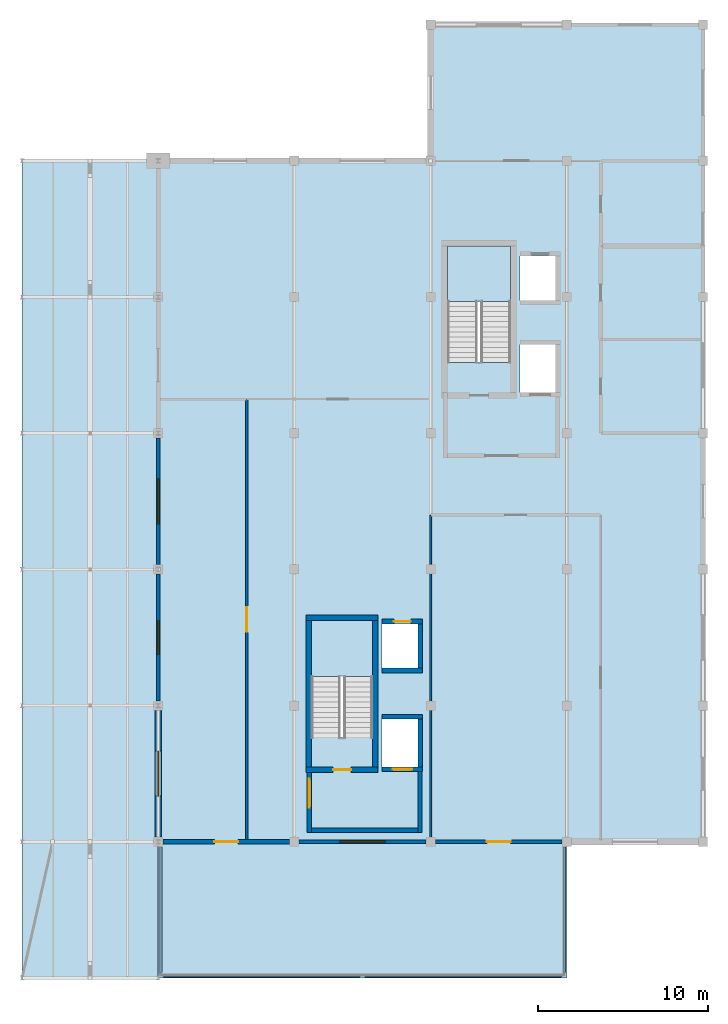
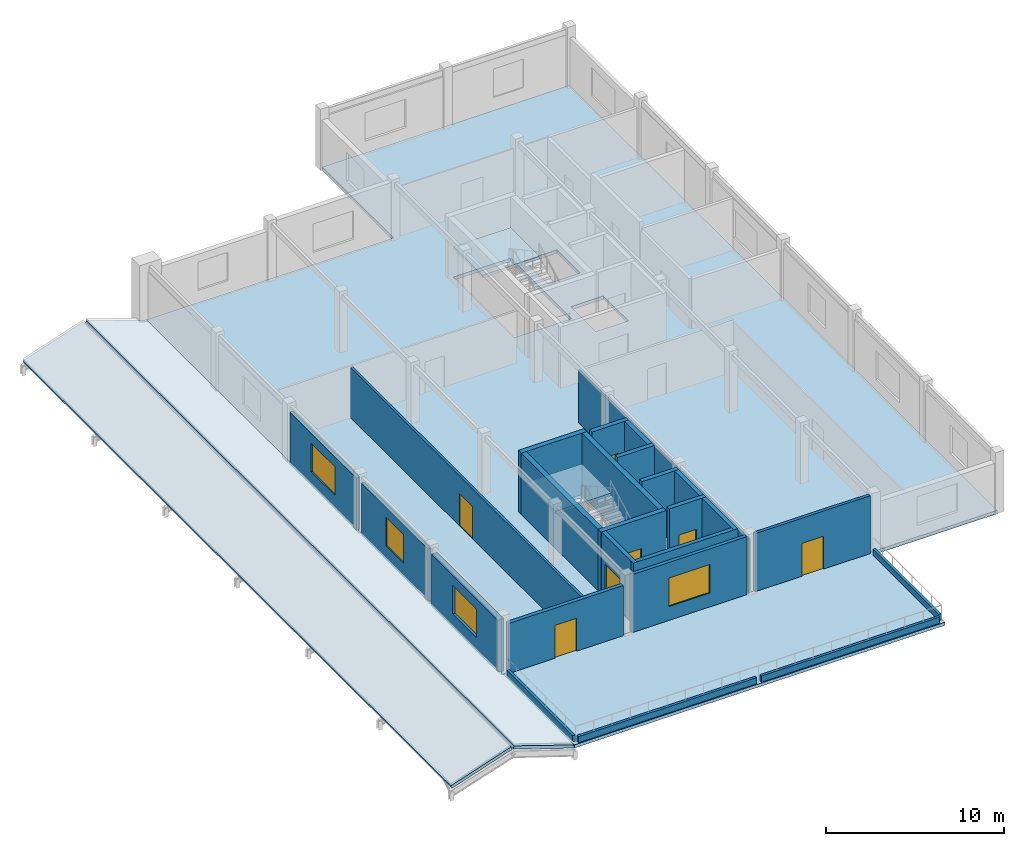
# One storey, part 4 of 9: 25 walls, 7 doors, 6 slabs, 4 windows, 11 openings, 2 elements without a shape of their own.
"""IFC4 building model written with IfcOpenShell, lengths in metres."""

import ifcopenshell
import ifcopenshell.guid

model = None  # the IFC model being written
_history = None  # IfcOwnerHistory: only IFC2X3 demands one
_inside = {}  # id of a spatial element -> (the spatial element, [elements in it])
_under = {}  # id of a project, library or spatial element -> (it, [spatial elements below it])
_declared = {}  # id of a project -> (the project, [libraries it declares])
_typed = {}  # id of a type object -> (the type object, [elements of that type])
_made_of = {}  # id of a material, layer set ... -> (it, [elements and type objects made of it])


def new_model(schema):
    """Start an empty IFC model of exactly this schema.

    Asked for "IFC4X3", IfcOpenShell would pick the latest addendum, in which some entities
    have other attributes; the version numbers below select the first issue.
    IFC2X3 requires an IfcOwnerHistory on every rooted entity: one is made here for all.
    """
    global model, _history
    if schema == "IFC4X3":
        model = ifcopenshell.file(schema_version=(4, 3, 0, 0))
    else:
        model = ifcopenshell.file(schema=schema)
    _inside.clear()
    _under.clear()
    _declared.clear()
    _typed.clear()
    _made_of.clear()
    _history = None
    if model.schema == "IFC2X3":
        org = make("IfcOrganization", Name="unknown")
        user = make(
            "IfcPersonAndOrganization",
            ThePerson=make("IfcPerson", FamilyName="unknown"),
            TheOrganization=org,
        )
        app = make(
            "IfcApplication",
            ApplicationDeveloper=org,
            Version="unknown",
            ApplicationFullName="unknown",
            ApplicationIdentifier="unknown",
        )
        _history = make(
            "IfcOwnerHistory",
            OwningUser=user,
            OwningApplication=app,
            ChangeAction="ADDED",
            CreationDate=0,
        )
    return model


def make(cls, **values):
    """One entity of the class cls with the attributes given. An attribute that is None is left unset."""
    return model.create_entity(
        cls, **{name: value for name, value in values.items() if value is not None}
    )


def rooted(cls, **values):
    """An entity with a GlobalId (a new one), such as an element, a storey or a relation."""
    return make(cls, GlobalId=ifcopenshell.guid.new(), OwnerHistory=_history, **values)


def si_unit(unit_type, name, prefix=None):
    """IfcSIUnit, for example si_unit("LENGTHUNIT", "METRE", prefix="MILLI")."""
    return make("IfcSIUnit", UnitType=unit_type, Prefix=prefix, Name=name)


def assignment(units):
    """IfcUnitAssignment: the units of a project."""
    return None if units is None else make("IfcUnitAssignment", Units=units)


def point(xyz):
    """IfcCartesianPoint."""
    return None if xyz is None else make("IfcCartesianPoint", Coordinates=xyz)


def direction(xyz):
    """IfcDirection."""
    return None if xyz is None else make("IfcDirection", DirectionRatios=xyz)


def frame(location, z_axis=None, x_axis=None):
    """IfcAxis2Placement3D, a coordinate frame: its origin and axes. An axis left out is left unset."""
    return make(
        "IfcAxis2Placement3D",
        Location=point(location),
        Axis=direction(z_axis),
        RefDirection=direction(x_axis),
    )


def frame_2d(location, x_axis=None):
    """IfcAxis2Placement2D, a coordinate frame in the plane: its origin and x axis."""
    return make(
        "IfcAxis2Placement2D", Location=point(location), RefDirection=direction(x_axis)
    )


def origin():
    """The frame at (0, 0, 0) with its axes left unset."""
    return frame((0.0, 0.0, 0.0))


def place(relative_to, where):
    """IfcLocalPlacement: puts the frame where relative to a parent placement (None: the world)."""
    return make(
        "IfcLocalPlacement", PlacementRelTo=relative_to, RelativePlacement=where
    )


def context(
    kind, dimensions, precision=None, world=None, true_north=None, identifier=None
):
    """IfcGeometricRepresentationContext, for example the 3D "Model" context."""
    return make(
        "IfcGeometricRepresentationContext",
        ContextIdentifier=identifier,
        ContextType=kind,
        CoordinateSpaceDimension=dimensions,
        Precision=precision,
        WorldCoordinateSystem=world,
        TrueNorth=true_north,
    )


def subcontext(parent, identifier, kind, view, scale=None):
    """IfcGeometricRepresentationSubContext, for example "Body" below "Model"."""
    return make(
        "IfcGeometricRepresentationSubContext",
        ContextIdentifier=identifier,
        ContextType=kind,
        ParentContext=parent,
        TargetScale=scale,
        TargetView=view,
    )


def project(units=None, contexts=None):
    """IfcProject with its units and contexts."""
    return rooted(
        "IfcProject",
        Name="project",
        RepresentationContexts=contexts,
        UnitsInContext=assignment(units),
    )


def spatial(cls, under=None, at=None, **own):
    """A site, building, storey or space (cls), placed at a placement, below another one or the project."""
    s = rooted(cls, ObjectPlacement=at, **own)
    if under is not None:
        _under.setdefault(under.id(), (under, []))[1].append(s)
    return s


def polyline(points):
    """IfcPolyline through the points."""
    return make("IfcPolyline", Points=[point(p) for p in points])


def profile(cls, at=None, kind="AREA", **sizes):
    """A parametric profile (cls). Its sizes go by their IFC names, for example OverallWidth=200.0."""
    return make(cls, ProfileType=kind, Position=at, **sizes)


def rectangle(**sizes):
    """IfcRectangleProfileDef."""
    return profile("IfcRectangleProfileDef", **sizes)


def outline(outer, holes=None, kind="AREA"):
    """IfcArbitraryClosedProfileDef: a profile drawn as a closed curve; with holes, ...WithVoids."""
    if holes is None:
        return make("IfcArbitraryClosedProfileDef", ProfileType=kind, OuterCurve=outer)
    return make(
        "IfcArbitraryProfileDefWithVoids",
        ProfileType=kind,
        OuterCurve=outer,
        InnerCurves=holes,
    )


def extrude(swept, where, along, depth):
    """IfcExtrudedAreaSolid: the profile swept, set in the frame where, extruded along a direction by depth."""
    return make(
        "IfcExtrudedAreaSolid",
        SweptArea=swept,
        Position=where,
        ExtrudedDirection=direction(along),
        Depth=depth,
    )


def shape(context_of_items, identifier, shape_type, items):
    """IfcShapeRepresentation: the items that make up one representation, for example the "Body"."""
    return make(
        "IfcShapeRepresentation",
        ContextOfItems=context_of_items,
        RepresentationIdentifier=identifier,
        RepresentationType=shape_type,
        Items=items,
    )


def material(Name=None, Category=None):
    """IfcMaterial."""
    return make("IfcMaterial", Name=Name, Category=Category)


def layer(
    of_material, thickness, ventilated=None, Name=None, Category=None, Priority=None
):
    """IfcMaterialLayer: one layer of a wall or slab, of a material (None: an air gap)."""
    return make(
        "IfcMaterialLayer",
        Material=of_material,
        LayerThickness=thickness,
        IsVentilated=ventilated,
        Name=Name,
        Category=Category,
        Priority=Priority,
    )


def layer_set(layers, Name=None):
    """IfcMaterialLayerSet."""
    return make("IfcMaterialLayerSet", MaterialLayers=layers, LayerSetName=Name)


def made_of(thing, what):
    """Note that an element or type object is made of a material, layer set ...; save() writes the relation."""
    if what is not None:
        _made_of.setdefault(what.id(), (what, []))[1].append(thing)
    return thing


def type_object(cls, material=None, **own):
    """A type object (cls), such as IfcWallType, which elements share."""
    return made_of(rooted(cls, **own), material)


def element(
    cls,
    number,
    at=None,
    inside=None,
    cuts=None,
    type_object=None,
    material=None,
    context=None,
    identifier="Body",
    shape_type=None,
    held_by="IfcProductDefinitionShape",
    body=None,
    shapes=None,
    **own,
):
    """One element of the class cls, such as IfcWall. Its Tag is "e" and its number.

    at: its placement. inside: the storey or other place that contains it. cuts: it is an
    opening in that element (IfcRelVoidsElement). A single representation is given by context,
    identifier, shape_type and body (its items); several are given by shapes. held_by: the class
    of the entity that holds the representations. save() writes the other relations.
    """
    e = rooted(cls, Tag="e%d" % number, ObjectPlacement=at, **own)
    if body is not None:
        shapes = [shape(context, identifier, shape_type, body)]
    if shapes is not None:
        e.Representation = make(held_by, Representations=shapes)
    if inside is not None:
        _inside.setdefault(inside.id(), (inside, []))[1].append(e)
    if cuts is not None:
        rooted(
            "IfcRelVoidsElement", RelatingBuildingElement=cuts, RelatedOpeningElement=e
        )
    if type_object is not None:
        _typed.setdefault(type_object.id(), (type_object, []))[1].append(e)
    return made_of(e, material)


def fill(opening, filler):
    """IfcRelFillsElement: the door or window that sits in an opening."""
    return rooted(
        "IfcRelFillsElement",
        RelatingOpeningElement=opening,
        RelatedBuildingElement=filler,
    )


def aggregate(whole, parts):
    """IfcRelAggregates: a whole, such as a stair, and the parts it consists of."""
    return rooted("IfcRelAggregates", RelatingObject=whole, RelatedObjects=parts)


def save(model, path):
    """Write the relations noted so far, then the file.

    IfcRelAggregates (storeys below a building ...), IfcRelContainedInSpatialStructure (elements
    in a storey), IfcRelDefinesByType, IfcRelAssociatesMaterial and IfcRelDeclares: one each for
    every whole, place, type object, material and project.
    """
    for whole, parts in _under.values():
        aggregate(whole, parts)
    for where, things in _inside.values():
        rooted(
            "IfcRelContainedInSpatialStructure",
            RelatedElements=things,
            RelatingStructure=where,
        )
    for kind, things in _typed.values():
        rooted("IfcRelDefinesByType", RelatedObjects=things, RelatingType=kind)
    for what, things in _made_of.values():
        rooted("IfcRelAssociatesMaterial", RelatedObjects=things, RelatingMaterial=what)
    for by, libraries in _declared.values():
        rooted("IfcRelDeclares", RelatingContext=by, RelatedDefinitions=libraries)
    model.write(path)


model = new_model("IFC4")

# Units and contexts
model_context = context("Model", 3, precision=1e-05, world=origin(), true_north=direction((0.0, 1.0)))
body_context = subcontext(model_context, "Body", "Model", "MODEL_VIEW")
ifc_project = project(units=[si_unit("LENGTHUNIT", "METRE"), si_unit("AREAUNIT", "SQUARE_METRE"), si_unit("VOLUMEUNIT", "CUBIC_METRE"), si_unit("PLANEANGLEUNIT", "RADIAN"), si_unit("MASSUNIT", "GRAM", prefix="KILO")], contexts=[model_context])

# Site, building, storey
site_placement = place(None, origin())
site = spatial("IfcSite", under=ifc_project, at=site_placement, CompositionType="ELEMENT")
building_placement = place(site_placement, origin())
building = spatial("IfcBuilding", under=site, at=building_placement, Name="Kenh Van Central Station", CompositionType="ELEMENT")
storey_placement = place(building_placement, frame((0.0, 0.0, 23.39990234375)))
storey = spatial("IfcBuildingStorey", under=building, at=storey_placement, Name="L05", CompositionType="ELEMENT", Elevation=23.39990234375)

# Slab
ifc_material_1 = material(Name="Concrete C35/45", Category="concrete")
ifc_layer_1 = layer(ifc_material_1, 0.22998046875, Name="Concrete C35/45")
ifc_layer_set_1 = layer_set([ifc_layer_1], Name="Concrete C35/45")
slab_type_1 = type_object("IfcSlabType", Name="SLB-FLR-230", PredefinedType="FLOOR", material=ifc_layer_set_1)
slab_1_placement = place(storey_placement, frame((0.0, 0.0, -0.22998046875)))
element("IfcSlab", 1, at=slab_1_placement, inside=storey, type_object=slab_type_1, Name="L05 slab SLB-L05-EAST", PredefinedType="FLOOR", context=body_context, shape_type="SweptSolid", body=[
    extrude(outline(polyline([(144.0, 24.0), (176.0, 24.0), (176.0, 72.0), (160.0, 72.0), (160.0, 64.0), (144.0, 64.0), (144.0, 24.0)]), holes=[polyline([(165.25, 53.199951171875), (167.35009765625, 53.199951171875), (167.35009765625, 50.39990234375), (165.25, 50.39990234375), (165.25, 53.199951171875)]), polyline([(167.35009765625, 58.39990234375), (167.35009765625, 55.800048828125), (165.25, 55.800048828125), (165.25, 58.39990234375), (167.35009765625, 58.39990234375)]), polyline([(164.699951171875, 59.0), (164.699951171875, 52.1650390625), (161.0, 52.1650390625), (161.0, 59.0), (164.699951171875, 59.0)]), polyline([(157.14990234375, 31.199951171875), (159.25, 31.199951171875), (159.25, 28.39990234375), (157.14990234375, 28.39990234375), (157.14990234375, 31.199951171875)]), polyline([(159.25, 36.800048828125), (159.25, 34.199951171875), (157.14990234375, 34.199951171875), (157.14990234375, 36.800048828125), (159.25, 36.800048828125)]), polyline([(156.60009765625, 37.0), (156.60009765625, 30.114990234375), (153.0, 30.114990234375), (153.0, 37.0), (156.60009765625, 37.0)])]), origin(), (0.0, 0.0, 1.0), 0.22998046875),
])

# Stair, slab
stair_type_1 = type_object("IfcStairType", Name="STR-DLG-1700", PredefinedType="HALF_TURN_STAIR", material=ifc_material_1)
stair_1_placement = place(storey_placement, origin())
stair_1 = element("IfcStair", 2, at=stair_1_placement, inside=storey, type_object=stair_type_1, Name="L05 Operations South Firefighting Core", PredefinedType="HALF_TURN_STAIR")
ifc_layer_2 = layer(ifc_material_1, 0.199951171875, Name="Concrete C35/45")
ifc_layer_set_2 = layer_set([ifc_layer_2], Name="Concrete C35/45")
slab_type_2 = type_object("IfcSlabType", Name="SLB-LAND-200", PredefinedType="LANDING", material=ifc_layer_set_2)
slab_2_placement = place(storey_placement, frame((0.0, 0.0, 1.900146484375)))
slab_2 = element("IfcSlab", 3, at=slab_2_placement, type_object=slab_type_2, Name="ST-09 landing 1", PredefinedType="LANDING", context=body_context, shape_type="SweptSolid", body=[
    extrude(outline(polyline([(156.60009765625, 33.699951171875), (156.60009765625, 37.0), (153.0, 37.0), (153.0, 33.699951171875), (156.60009765625, 33.699951171875)])), origin(), (0.0, 0.0, 1.0), 0.199951171875),
])
aggregate(stair_1, [slab_2])

stair_type_2 = type_object("IfcStairType", Name="STR-DLG-1750", PredefinedType="HALF_TURN_STAIR", material=ifc_material_1)
stair_2_placement = place(storey_placement, origin())
stair_2 = element("IfcStair", 4, at=stair_2_placement, inside=storey, type_object=stair_type_2, Name="L05 Operations North Firefighting and Goods Core", PredefinedType="HALF_TURN_STAIR")
slab_3_placement = place(storey_placement, frame((0.0, 0.0, 1.900146484375)))
slab_3 = element("IfcSlab", 5, at=slab_3_placement, type_object=slab_type_2, Name="ST-10 landing 1", PredefinedType="LANDING", context=body_context, shape_type="SweptSolid", body=[
    extrude(outline(polyline([(164.699951171875, 55.75), (164.699951171875, 59.0), (161.0, 59.0), (161.0, 55.75), (164.699951171875, 55.75)])), origin(), (0.0, 0.0, 1.0), 0.199951171875),
])
aggregate(stair_2, [slab_3])

# Slabs
ifc_layer_3 = layer(ifc_material_1, 0.205078125, Name="Concrete C35/45")
ifc_layer_set_3 = layer_set([ifc_layer_3], Name="Concrete C35/45")
slab_type_3 = type_object("IfcSlabType", Name="SLB-ROOF-205", PredefinedType="ROOF", material=ifc_layer_set_3)
for number, where, z_axis, x_axis, name in (
    (6, (136.0, 16.0, 0.0), (-0.316245582614, 0.0, 0.948677358999), (0.948677358999, 0.0, 0.316245582614), "L05 sloped roof RF-OPS4-A"),
    (7, (140.10009765625, 16.0, 1.300048828125), (0.316245582614, 0.0, 0.948677358999), (0.948677358999, 0.0, -0.316245582614), "L05 sloped roof RF-OPS4-B"),
):
    element("IfcSlab", number, at=place(storey_placement, frame(where, z_axis=z_axis, x_axis=x_axis)), inside=storey, type_object=slab_type_3, Name=name, PredefinedType="ROOF", context=body_context, shape_type="SweptSolid", body=[
        extrude(outline(polyline([(0.0, 0.0), (4.110883754899416, 0.0), (4.110883754899416, 48.0), (0.0, 48.0), (0.0, 0.0)])), origin(), (0.0, 0.0, -1.0), 0.205078125),
    ])
ifc_layer_4 = layer(ifc_material_1, 0.215087890625, Name="Concrete C35/45")
ifc_layer_set_4 = layer_set([ifc_layer_4], Name="Concrete C35/45")
slab_type_4 = type_object("IfcSlabType", Name="SLB-TERR-215", PredefinedType="FLOOR", material=ifc_layer_set_4)
slab_4_placement = place(storey_placement, frame((0.0, 0.0, -0.21484375)))
element("IfcSlab", 8, at=slab_4_placement, inside=storey, type_object=slab_type_4, Name="L05 slab SLB-L05-TERR", PredefinedType="FLOOR", context=body_context, shape_type="SweptSolid", body=[
    extrude(outline(polyline([(168.0, 16.0), (168.0, 24.0), (144.0, 24.0), (144.0, 16.0), (168.0, 16.0)])), origin(), (0.0, 0.0, 1.0), 0.21484375),
])

# Wall, opening, door
ifc_material_2 = material(Name="Concrete C40/50", Category="concrete")
ifc_layer_5 = layer(ifc_material_2, 0.280029296875, Name="Concrete C40/50")
ifc_layer_set_5 = layer_set([ifc_layer_5], Name="Concrete C40/50")
wall_type_1 = type_object("IfcWallType", Name="WL-CORE-280", PredefinedType="SHEAR", material=ifc_layer_set_5)
wall_1_placement = place(storey_placement, frame((157.14990234375, 28.260009765625, 0.0), z_axis=(0.0, 0.0, 1.0), x_axis=(1.0, 0.0, 0.0)))
wall_1 = element("IfcWall", 9, at=wall_1_placement, inside=storey, type_object=wall_type_1, Name="L05 LIFT-FF1 shaft wall S", PredefinedType="SHEAR", context=body_context, shape_type="SweptSolid", body=[
    extrude(rectangle(XDim=2.380126953125, YDim=0.280029296875, at=frame_2d((1.18994140625, 0.0))), origin(), (0.0, 0.0, 1.0), 4.2001953125),
])
opening_1_placement = place(wall_1_placement, frame((0.614990234375, 0.0, 0.0)))
opening_1 = element("IfcOpeningElement", 10, at=opening_1_placement, cuts=wall_1, Name="Opening LD-FF1", PredefinedType="OPENING", context=body_context, shape_type="SweptSolid", body=[
    extrude(rectangle(XDim=1.14990234375, YDim=2.199951171875, at=frame_2d((0.574951171875, 1.10009765625))), frame((0.0, 0.14990234375, 0.0), z_axis=(0.0, -1.0, 0.0), x_axis=(1.0, 0.0, 0.0)), (0.0, 0.0, 1.0), 0.300048828125),
])
ifc_material_3 = material(Name="Champagne anodised aluminium", Category="aluminium")
door_type_1 = type_object("IfcDoorType", Name="DR-LIFT-1150x2200", OperationType="SLIDING_TO_LEFT", PredefinedType="DOOR", material=ifc_material_3)
door_1_placement = place(opening_1_placement, origin())
door_1 = element("IfcDoor", 11, at=door_1_placement, inside=storey, type_object=door_type_1, Name="L05 LIFT-FF1 sliding landing door", OperationType="SLIDING_TO_LEFT", OverallHeight=2.199951171875, OverallWidth=1.14990234375, PredefinedType="DOOR", context=body_context, shape_type="SweptSolid", body=[
    extrude(rectangle(XDim=1.14990234375, YDim=2.199951171875, at=frame_2d((0.574951171875, 1.10009765625))), frame((0.0, 0.02490234375, 0.0), z_axis=(0.0, -1.0, 0.0), x_axis=(1.0, 0.0, 0.0)), (0.0, 0.0, 1.0), 0.050048828125),
])
fill(opening_1, door_1)

# Walls
wall_2_placement = place(storey_placement, frame((157.14990234375, 31.340087890625, 0.0), z_axis=(0.0, 0.0, 1.0), x_axis=(1.0, 0.0, 0.0)))
element("IfcWall", 12, at=wall_2_placement, inside=storey, type_object=wall_type_1, Name="L05 LIFT-FF1 shaft wall N", PredefinedType="SHEAR", context=body_context, shape_type="SweptSolid", body=[
    extrude(rectangle(XDim=2.380126953125, YDim=0.280029296875, at=frame_2d((1.18994140625, 0.0))), origin(), (0.0, 0.0, 1.0), 4.2001953125),
])
wall_3_placement = place(storey_placement, frame((159.389892578125, 28.39990234375, 0.0), z_axis=(0.0, 0.0, 1.0), x_axis=(0.0, 1.0, 0.0)))
element("IfcWall", 13, at=wall_3_placement, inside=storey, type_object=wall_type_1, Name="L05 LIFT-FF1 shaft wall E", PredefinedType="SHEAR", context=body_context, shape_type="SweptSolid", body=[
    extrude(rectangle(XDim=2.800048828125, YDim=0.280029296875, at=frame_2d((1.39990234375, 0.0))), origin(), (0.0, 0.0, 1.0), 4.2001953125),
])
wall_4_placement = place(storey_placement, frame((157.14990234375, 34.06005859375, 0.0), z_axis=(0.0, 0.0, 1.0), x_axis=(1.0, 0.0, 0.0)))
element("IfcWall", 14, at=wall_4_placement, inside=storey, type_object=wall_type_1, Name="L05 LIFT-OP1 shaft wall S", PredefinedType="SHEAR", context=body_context, shape_type="SweptSolid", body=[
    extrude(rectangle(XDim=2.380126953125, YDim=0.280029296875, at=frame_2d((1.18994140625, 0.0))), origin(), (0.0, 0.0, 1.0), 4.2001953125),
])

# Wall, opening, door
wall_5_placement = place(storey_placement, frame((157.14990234375, 36.93994140625, 0.0), z_axis=(0.0, 0.0, 1.0), x_axis=(1.0, 0.0, 0.0)))
wall_5 = element("IfcWall", 15, at=wall_5_placement, inside=storey, type_object=wall_type_1, Name="L05 LIFT-OP1 shaft wall N", PredefinedType="SHEAR", context=body_context, shape_type="SweptSolid", body=[
    extrude(rectangle(XDim=2.380126953125, YDim=0.280029296875, at=frame_2d((1.18994140625, 0.0))), origin(), (0.0, 0.0, 1.0), 4.2001953125),
])
opening_2_placement = place(wall_5_placement, frame((0.68994140625, 0.0, 0.0)))
opening_2 = element("IfcOpeningElement", 16, at=opening_2_placement, cuts=wall_5, Name="Opening LD-OP1", PredefinedType="OPENING", context=body_context, shape_type="SweptSolid", body=[
    extrude(rectangle(XDim=1.0, YDim=2.14990234375, at=frame_2d((0.5, 1.074951171875))), frame((0.0, 0.14990234375, 0.0), z_axis=(0.0, -1.0, 0.0), x_axis=(1.0, 0.0, 0.0)), (0.0, 0.0, 1.0), 0.300048828125),
])
door_type_2 = type_object("IfcDoorType", Name="DR-LIFT-1000x2150", OperationType="SLIDING_TO_LEFT", PredefinedType="DOOR", material=ifc_material_3)
door_2_placement = place(opening_2_placement, origin())
door_2 = element("IfcDoor", 17, at=door_2_placement, inside=storey, type_object=door_type_2, Name="L05 LIFT-OP1 sliding landing door", OperationType="SLIDING_TO_LEFT", OverallHeight=2.14990234375, OverallWidth=1.0, PredefinedType="DOOR", context=body_context, shape_type="SweptSolid", body=[
    extrude(rectangle(XDim=1.0, YDim=2.14990234375, at=frame_2d((0.5, 1.074951171875))), frame((0.0, 0.02490234375, 0.0), z_axis=(0.0, -1.0, 0.0), x_axis=(1.0, 0.0, 0.0)), (0.0, 0.0, 1.0), 0.050048828125),
])
fill(opening_2, door_2)

# Wall
wall_6_placement = place(storey_placement, frame((159.389892578125, 34.199951171875, 0.0), z_axis=(0.0, 0.0, 1.0), x_axis=(0.0, 1.0, 0.0)))
element("IfcWall", 18, at=wall_6_placement, inside=storey, type_object=wall_type_1, Name="L05 LIFT-OP1 shaft wall E", PredefinedType="SHEAR", context=body_context, shape_type="SweptSolid", body=[
    extrude(rectangle(XDim=2.60009765625, YDim=0.280029296875, at=frame_2d((1.300048828125, 0.0))), origin(), (0.0, 0.0, 1.0), 4.2001953125),
])

# Wall, opening, door
ifc_layer_6 = layer(ifc_material_2, 0.320068359375, Name="Concrete C40/50")
ifc_layer_set_6 = layer_set([ifc_layer_6], Name="Concrete C40/50")
wall_type_2 = type_object("IfcWallType", Name="WL-CORE-320", PredefinedType="SHEAR", material=ifc_layer_set_6)
wall_7_placement = place(storey_placement, frame((152.679931640625, 28.239990234375, 0.0), z_axis=(0.0, 0.0, 1.0), x_axis=(1.0, 0.0, 0.0)))
wall_7 = element("IfcWall", 19, at=wall_7_placement, inside=storey, type_object=wall_type_2, Name="L05 CORE-09 stair wall S", PredefinedType="SHEAR", context=body_context, shape_type="SweptSolid", body=[
    extrude(rectangle(XDim=4.239990234375, YDim=0.320068359375, at=frame_2d((2.1201171875, 0.0))), origin(), (0.0, 0.0, 1.0), 4.2001953125),
])
opening_3_placement = place(wall_7_placement, frame((1.594970703125, 0.0, 0.0)))
opening_3 = element("IfcOpeningElement", 20, at=opening_3_placement, cuts=wall_7, Name="Opening D-FD60", PredefinedType="OPENING", context=body_context, shape_type="SweptSolid", body=[
    extrude(rectangle(XDim=1.050048828125, YDim=2.14990234375, at=frame_2d((0.52490234375, 1.074951171875))), frame((0.0, 0.169921875, 0.0), z_axis=(0.0, -1.0, 0.0), x_axis=(1.0, 0.0, 0.0)), (0.0, 0.0, 1.0), 0.340087890625),
])
door_type_3 = type_object("IfcDoorType", Name="DR-FIRE-1050x2150", OperationType="NOTDEFINED", PredefinedType="DOOR", material=ifc_material_3)
door_3_placement = place(opening_3_placement, origin())
door_3 = element("IfcDoor", 21, at=door_3_placement, inside=storey, type_object=door_type_3, Name="L05 ST-09 stair door", OperationType="SINGLE_SWING_RIGHT", OverallHeight=2.14990234375, OverallWidth=1.050048828125, PredefinedType="DOOR", context=body_context, shape_type="SweptSolid", body=[
    extrude(rectangle(XDim=1.050048828125, YDim=2.14990234375, at=frame_2d((0.52490234375, 1.074951171875))), frame((0.0, 0.02490234375, 0.0), z_axis=(0.0, -1.0, 0.0), x_axis=(1.0, 0.0, 0.0)), (0.0, 0.0, 1.0), 0.050048828125),
])
fill(opening_3, door_3)

# Walls
wall_8_placement = place(storey_placement, frame((152.679931640625, 37.159912109375, 0.0), z_axis=(0.0, 0.0, 1.0), x_axis=(1.0, 0.0, 0.0)))
element("IfcWall", 22, at=wall_8_placement, inside=storey, type_object=wall_type_2, Name="L05 CORE-09 stair wall N", PredefinedType="SHEAR", context=body_context, shape_type="SweptSolid", body=[
    extrude(rectangle(XDim=4.239990234375, YDim=0.320068359375, at=frame_2d((2.1201171875, 0.0))), origin(), (0.0, 0.0, 1.0), 4.2001953125),
])
for number, where, z_axis, x_axis, name in (
    (23, (152.840087890625, 28.39990234375, 0.0), (0.0, 0.0, 1.0), (0.0, 1.0, 0.0), "L05 CORE-09 stair wall W"),
    (24, (156.760009765625, 28.39990234375, 0.0), (0.0, 0.0, 1.0), (0.0, 1.0, 0.0), "L05 CORE-09 stair wall E"),
):
    element("IfcWall", number, at=place(storey_placement, frame(where, z_axis=z_axis, x_axis=x_axis)), inside=storey, type_object=wall_type_2, Name=name, PredefinedType="SHEAR", context=body_context, shape_type="SweptSolid", body=[
        extrude(rectangle(XDim=8.60009765625, YDim=0.320068359375, at=frame_2d((4.300048828125, 0.0))), origin(), (0.0, 0.0, 1.0), 4.2001953125),
    ])

# Wall, opening, window
ifc_material_4 = material(Name="Saigon buff sandstone and terracotta masonry", Category="masonry")
ifc_layer_7 = layer(ifc_material_4, 0.3798828125, Name="Saigon buff sandstone and terracotta masonry")
ifc_layer_set_7 = layer_set([ifc_layer_7], Name="Saigon buff sandstone and terracotta masonry")
wall_type_3 = type_object("IfcWallType", Name="WL-EXT-380", PredefinedType="STANDARD", material=ifc_layer_set_7)
wall_9_placement = place(storey_placement, frame((144.0, 31.72509765625, 0.0), z_axis=(0.0, 0.0, 1.0), x_axis=(0.0, -1.0, 0.0)))
wall_9 = element("IfcWall", 25, at=wall_9_placement, inside=storey, type_object=wall_type_3, Name="L05 exterior wall 176", PredefinedType="STANDARD", context=body_context, shape_type="SweptSolid", body=[
    extrude(rectangle(XDim=7.4501953125, YDim=0.3798828125, at=frame_2d((3.72509765625, 0.0))), origin(), (0.0, 0.0, 1.0), 3.580078125),
])
opening_4_placement = place(wall_9_placement, frame((2.39990234375, 0.0, 0.949951171875)))
opening_4 = element("IfcOpeningElement", 26, at=opening_4_placement, cuts=wall_9, Name="Opening WN-22", PredefinedType="OPENING", context=body_context, shape_type="SweptSolid", body=[
    extrude(rectangle(XDim=2.64990234375, YDim=1.949951171875, at=frame_2d((1.324951171875, 0.97509765625))), frame((0.0, 0.199951171875, 0.0), z_axis=(0.0, -1.0, 0.0), x_axis=(1.0, 0.0, 0.0)), (0.0, 0.0, 1.0), 0.39990234375),
])
ifc_material_5 = material(Name="Double-glazed low-E laminated solar glass", Category="glass")
window_type_1 = type_object("IfcWindowType", Name="WN-OP05-2650x1950", PartitioningType="DOUBLE_PANEL_VERTICAL", PredefinedType="WINDOW", material=ifc_material_5)
window_1_placement = place(opening_4_placement, origin())
window_1 = element("IfcWindow", 27, at=window_1_placement, inside=storey, type_object=window_type_1, Name="L05 window 139", OverallHeight=1.949951171875, OverallWidth=2.64990234375, PartitioningType="SINGLE_PANEL", PredefinedType="WINDOW", context=body_context, shape_type="SweptSolid", body=[
    extrude(rectangle(XDim=2.64990234375, YDim=1.949951171875, at=frame_2d((1.324951171875, 0.97509765625))), frame((0.0, 0.030029296875, 0.0), z_axis=(0.0, -1.0, 0.0), x_axis=(1.0, 0.0, 0.0)), (0.0, 0.0, 1.0), 0.06005859375),
])
fill(opening_4, window_1)

# Wall
ifc_layer_8 = layer(ifc_material_2, 0.260009765625, Name="Concrete C40/50")
ifc_layer_set_8 = layer_set([ifc_layer_8], Name="Concrete C40/50")
wall_type_4 = type_object("IfcWallType", Name="WL-FIRE-260", PredefinedType="SHEAR", material=ifc_layer_set_8)
wall_10_placement = place(storey_placement, frame((159.510009765625, 24.669921875, 0.0), z_axis=(0.0, 0.0, 1.0), x_axis=(-1.0, 0.0, 0.0)))
element("IfcWall", 28, at=wall_10_placement, inside=storey, type_object=wall_type_4, Name="L05 CORE-09 lobby wall S", PredefinedType="SHEAR", context=body_context, shape_type="SweptSolid", body=[
    extrude(rectangle(XDim=6.77001953125, YDim=0.260009765625, at=frame_2d((3.385009765625, 0.0))), origin(), (0.0, 0.0, 1.0), 4.2001953125),
])

# Wall, opening, door
wall_11_placement = place(storey_placement, frame((152.8701171875, 24.5400390625, 0.0), z_axis=(0.0, 0.0, 1.0), x_axis=(0.0, 1.0, 0.0)))
wall_11 = element("IfcWall", 29, at=wall_11_placement, inside=storey, type_object=wall_type_4, Name="L05 CORE-09 lobby wall W", PredefinedType="SHEAR", context=body_context, shape_type="SweptSolid", body=[
    extrude(rectangle(XDim=3.85986328125, YDim=0.260009765625, at=frame_2d((1.929931640625, 0.0))), origin(), (0.0, 0.0, 1.0), 4.2001953125),
])
opening_5_placement = place(wall_11_placement, frame((1.4599609375, 0.0, 0.0)))
opening_5 = element("IfcOpeningElement", 30, at=opening_5_placement, cuts=wall_11, Name="Opening D-FD60D", PredefinedType="OPENING", context=body_context, shape_type="SweptSolid", body=[
    extrude(rectangle(XDim=1.699951171875, YDim=2.199951171875, at=frame_2d((0.85009765625, 1.10009765625))), frame((0.0, 0.139892578125, 0.0), z_axis=(0.0, -1.0, 0.0), x_axis=(1.0, 0.0, 0.0)), (0.0, 0.0, 1.0), 0.280029296875),
])
door_type_4 = type_object("IfcDoorType", Name="DR-FIRE-1700x2200", OperationType="DOUBLE_DOOR_SINGLE_SWING", PredefinedType="DOOR", material=ifc_material_3)
door_4_placement = place(opening_5_placement, origin())
door_4 = element("IfcDoor", 31, at=door_4_placement, inside=storey, type_object=door_type_4, Name="L05 CORE-09 smoke-stop lobby door", OperationType="DOUBLE_DOOR_SINGLE_SWING", OverallHeight=2.199951171875, OverallWidth=1.699951171875, PredefinedType="DOOR", context=body_context, shape_type="SweptSolid", body=[
    extrude(rectangle(XDim=1.699951171875, YDim=2.199951171875, at=frame_2d((0.85009765625, 1.10009765625))), frame((0.0, 0.02490234375, 0.0), z_axis=(0.0, -1.0, 0.0), x_axis=(1.0, 0.0, 0.0)), (0.0, 0.0, 1.0), 0.050048828125),
])
fill(opening_5, door_4)

# Walls
wall_12_placement = place(storey_placement, frame((159.3798828125, 24.5400390625, 0.0), z_axis=(0.0, 0.0, 1.0), x_axis=(0.0, 1.0, 0.0)))
element("IfcWall", 32, at=wall_12_placement, inside=storey, type_object=wall_type_4, Name="L05 CORE-09 lobby wall E", PredefinedType="SHEAR", context=body_context, shape_type="SweptSolid", body=[
    extrude(rectangle(XDim=3.85986328125, YDim=0.260009765625, at=frame_2d((1.929931640625, 0.0))), origin(), (0.0, 0.0, 1.0), 4.2001953125),
])
ifc_material_6 = material(Name="Saigon buff sandstone parapet masonry", Category="masonry")
ifc_layer_9 = layer(ifc_material_6, 0.169921875, Name="Saigon buff sandstone parapet masonry")
ifc_layer_set_9 = layer_set([ifc_layer_9], Name="Saigon buff sandstone parapet masonry")
wall_type_5 = type_object("IfcWallType", Name="WL-PAR-170", PredefinedType="PARAPET", material=ifc_layer_set_9)
for number, where, z_axis, x_axis, name in (
    (33, (144.31005859375, 16.14990234375, 0.0), (0.0, 0.0, 1.0), (1.0, 0.0, 0.0), "L05 terrace parapet 15"),
    (34, (156.159912109375, 16.14990234375, 0.0), (0.0, 0.0, 1.0), (1.0, 0.0, 0.0), "L05 terrace parapet 16"),
):
    element("IfcWall", number, at=place(storey_placement, frame(where, z_axis=z_axis, x_axis=x_axis)), inside=storey, type_object=wall_type_5, Name=name, PredefinedType="PARAPET", context=body_context, shape_type="SweptSolid", body=[
        extrude(rectangle(XDim=11.530029296875, YDim=0.169921875, at=frame_2d((5.76513671875, 0.0))), origin(), (0.0, 0.0, 1.0), 0.420166015625),
    ])
for number, where, z_axis, x_axis, name in (
    (35, (144.14990234375, 16.31005859375, 0.0), (0.0, 0.0, 1.0), (0.0, 1.0, 0.0), "L05 terrace parapet 17"),
    (36, (167.85009765625, 16.31005859375, 0.0), (0.0, 0.0, 1.0), (0.0, 1.0, 0.0), "L05 terrace parapet 18"),
):
    element("IfcWall", number, at=place(storey_placement, frame(where, z_axis=z_axis, x_axis=x_axis)), inside=storey, type_object=wall_type_5, Name=name, PredefinedType="PARAPET", context=body_context, shape_type="SweptSolid", body=[
        extrude(rectangle(XDim=7.3798828125, YDim=0.169921875, at=frame_2d((3.68994140625, 0.0))), origin(), (0.0, 0.0, 1.0), 0.420166015625),
    ])
ifc_material_7 = material(Name="Lightweight acoustic masonry blockwork", Category="masonry")
ifc_layer_10 = layer(ifc_material_7, 0.114990234375, Name="Lightweight acoustic masonry blockwork")
ifc_layer_set_10 = layer_set([ifc_layer_10], Name="Lightweight acoustic masonry blockwork")
wall_type_6 = type_object("IfcWallType", Name="WL-PART-115", PredefinedType="PARTITIONING", material=ifc_layer_set_10)
wall_13_placement = place(storey_placement, frame((160.0, 24.1201171875, 0.0), z_axis=(0.0, 0.0, 1.0), x_axis=(0.0, 1.0, 0.0)))
element("IfcWall", 37, at=wall_13_placement, inside=storey, type_object=wall_type_6, Name="L05 interior wall 0215", PredefinedType="PARTITIONING", context=body_context, shape_type="SweptSolid", body=[
    extrude(rectangle(XDim=19.059814453125, YDim=0.114990234375, at=frame_2d((9.52978515625, 0.0))), origin(), (0.0, 0.0, 1.0), 3.580078125),
])

# Wall, opening, door
ifc_layer_11 = layer(ifc_material_7, 0.14990234375, Name="Lightweight acoustic masonry blockwork")
ifc_layer_set_11 = layer_set([ifc_layer_11], Name="Lightweight acoustic masonry blockwork")
wall_type_7 = type_object("IfcWallType", Name="WL-PART-150", PredefinedType="PARTITIONING", material=ifc_layer_set_11)
wall_14_placement = place(storey_placement, frame((149.199951171875, 24.1201171875, 0.0), z_axis=(0.0, 0.0, 1.0), x_axis=(0.0, 1.0, 0.0)))
wall_14 = element("IfcWall", 38, at=wall_14_placement, inside=storey, type_object=wall_type_7, Name="L05 interior wall 0212", PredefinedType="PARTITIONING", context=body_context, shape_type="SweptSolid", body=[
    extrude(rectangle(XDim=25.85986328125, YDim=0.14990234375, at=frame_2d((12.929931640625, 0.0))), origin(), (0.0, 0.0, 1.0), 3.429443359375),
])
opening_6_placement = place(wall_14_placement, frame((12.205078125, 0.0, 0.0)))
opening_6 = element("IfcOpeningElement", 39, at=opening_6_placement, cuts=wall_14, Name="Opening D-IN03", PredefinedType="OPENING", context=body_context, shape_type="SweptSolid", body=[
    extrude(rectangle(XDim=1.449951171875, YDim=2.199951171875, at=frame_2d((0.72509765625, 1.10009765625))), frame((0.0, 0.0849609375, 0.0), z_axis=(0.0, -1.0, 0.0), x_axis=(1.0, 0.0, 0.0)), (0.0, 0.0, 1.0), 0.169921875),
])
ifc_material_8 = material(Name="Architectural hardwood timber", Category="wood")
door_type_5 = type_object("IfcDoorType", Name="DR-INT-1450x2200", OperationType="DOUBLE_DOOR_SINGLE_SWING", PredefinedType="DOOR", material=ifc_material_8)
door_5_placement = place(opening_6_placement, origin())
door_5 = element("IfcDoor", 40, at=door_5_placement, inside=storey, type_object=door_type_5, Name="L05 interior door 0119", OperationType="DOUBLE_DOOR_SINGLE_SWING", OverallHeight=2.199951171875, OverallWidth=1.449951171875, PredefinedType="DOOR", context=body_context, shape_type="SweptSolid", body=[
    extrude(rectangle(XDim=1.449951171875, YDim=2.199951171875, at=frame_2d((0.72509765625, 1.10009765625))), frame((0.0, 0.02490234375, 0.0), z_axis=(0.0, -1.0, 0.0), x_axis=(1.0, 0.0, 0.0)), (0.0, 0.0, 1.0), 0.050048828125),
])
fill(opening_6, door_5)

ifc_material_9 = material(Name="Glazed terracotta architectural masonry", Category="masonry")
ifc_layer_12 = layer(ifc_material_9, 0.195068359375, Name="Glazed terracotta architectural masonry")
ifc_layer_set_12 = layer_set([ifc_layer_12], Name="Glazed terracotta architectural masonry")
wall_type_8 = type_object("IfcWallType", Name="WL-SLD-195", PredefinedType="SOLIDWALL", material=ifc_layer_set_12)
wall_15_placement = place(storey_placement, frame((160.27490234375, 24.0, 0.0), z_axis=(0.0, 0.0, 1.0), x_axis=(1.0, 0.0, 0.0)))
wall_15 = element("IfcWall", 41, at=wall_15_placement, inside=storey, type_object=wall_type_8, Name="L05 exterior wall 159", PredefinedType="SOLIDWALL", context=body_context, shape_type="SweptSolid", body=[
    extrude(rectangle(XDim=7.4501953125, YDim=0.195068359375, at=frame_2d((3.72509765625, 0.0))), origin(), (0.0, 0.0, 1.0), 3.97021484375),
])
opening_7_placement = place(wall_15_placement, frame((3.02490234375, 0.0, 0.0)))
opening_7 = element("IfcOpeningElement", 42, at=opening_7_placement, cuts=wall_15, Name="Opening D-EX7", PredefinedType="OPENING", context=body_context, shape_type="SweptSolid", body=[
    extrude(rectangle(XDim=1.39990234375, YDim=2.25, at=frame_2d((0.699951171875, 1.125))), frame((0.0, 0.107421875, 0.0), z_axis=(0.0, -1.0, 0.0), x_axis=(1.0, 0.0, 0.0)), (0.0, 0.0, 1.0), 0.215087890625),
])
door_type_6 = type_object("IfcDoorType", Name="DR-EXT-1400x2250", OperationType="DOUBLE_DOOR_SINGLE_SWING", PredefinedType="DOOR", material=ifc_material_3)
door_6_placement = place(opening_7_placement, frame((1.39990234375, 0.0, 0.0), z_axis=(0.0, 0.0, 1.0), x_axis=(-1.0, 0.0, 0.0)))
door_6 = element("IfcDoor", 43, at=door_6_placement, inside=storey, type_object=door_type_6, Name="L05 exterior door 036", OperationType="DOUBLE_DOOR_SINGLE_SWING", OverallHeight=2.25, OverallWidth=1.39990234375, PredefinedType="DOOR", context=body_context, shape_type="SweptSolid", body=[
    extrude(rectangle(XDim=1.39990234375, YDim=2.25, at=frame_2d((-0.699951171875, 1.125))), frame((0.0, -0.02490234375, 0.0), z_axis=(0.0, 1.0, 0.0), x_axis=(-1.0, 0.0, 0.0)), (0.0, 0.0, 1.0), 0.050048828125),
])
fill(opening_7, door_6)

# Wall, opening, window
wall_16_placement = place(storey_placement, frame((144.0, 39.72509765625, 0.0), z_axis=(0.0, 0.0, 1.0), x_axis=(0.0, -1.0, 0.0)))
wall_16 = element("IfcWall", 44, at=wall_16_placement, inside=storey, type_object=wall_type_8, Name="L05 exterior wall 175", PredefinedType="SOLIDWALL", context=body_context, shape_type="SweptSolid", body=[
    extrude(rectangle(XDim=7.4501953125, YDim=0.195068359375, at=frame_2d((3.72509765625, 0.0))), origin(), (0.0, 0.0, 1.0), 3.580078125),
])
opening_8_placement = place(wall_16_placement, frame((2.75, 0.0, 0.949951171875)))
opening_8 = element("IfcOpeningElement", 45, at=opening_8_placement, cuts=wall_16, Name="Opening WN-23", PredefinedType="OPENING", context=body_context, shape_type="SweptSolid", body=[
    extrude(rectangle(XDim=1.949951171875, YDim=1.949951171875, at=frame_2d((0.97509765625, 0.97509765625))), frame((0.0, 0.107421875, 0.0), z_axis=(0.0, -1.0, 0.0), x_axis=(1.0, 0.0, 0.0)), (0.0, 0.0, 1.0), 0.215087890625),
])
window_type_2 = type_object("IfcWindowType", Name="WN-OP05-1950x1950", PartitioningType="DOUBLE_PANEL_VERTICAL", PredefinedType="WINDOW", material=ifc_material_5)
window_2_placement = place(opening_8_placement, origin())
window_2 = element("IfcWindow", 46, at=window_2_placement, inside=storey, type_object=window_type_2, Name="L05 window 138", OverallHeight=1.949951171875, OverallWidth=1.949951171875, PartitioningType="SINGLE_PANEL", PredefinedType="WINDOW", context=body_context, shape_type="SweptSolid", body=[
    extrude(rectangle(XDim=1.949951171875, YDim=1.949951171875, at=frame_2d((0.97509765625, 0.97509765625))), frame((0.0, 0.030029296875, 0.0), z_axis=(0.0, -1.0, 0.0), x_axis=(1.0, 0.0, 0.0)), (0.0, 0.0, 1.0), 0.06005859375),
])
fill(opening_8, window_2)

ifc_layer_13 = layer(ifc_material_9, 0.219970703125, Name="Glazed terracotta architectural masonry")
ifc_layer_set_13 = layer_set([ifc_layer_13], Name="Glazed terracotta architectural masonry")
wall_type_9 = type_object("IfcWallType", Name="WL-SLD-220", PredefinedType="SOLIDWALL", material=ifc_layer_set_13)
wall_17_placement = place(storey_placement, frame((152.27490234375, 24.0, 0.0), z_axis=(0.0, 0.0, 1.0), x_axis=(1.0, 0.0, 0.0)))
wall_17 = element("IfcWall", 47, at=wall_17_placement, inside=storey, type_object=wall_type_9, Name="L05 exterior wall 158", PredefinedType="SOLIDWALL", context=body_context, shape_type="SweptSolid", body=[
    extrude(rectangle(XDim=7.4501953125, YDim=0.219970703125, at=frame_2d((3.72509765625, 0.0))), origin(), (0.0, 0.0, 1.0), 3.97021484375),
])
opening_9_placement = place(wall_17_placement, frame((2.39990234375, 0.0, 0.949951171875)))
opening_9 = element("IfcOpeningElement", 48, at=opening_9_placement, cuts=wall_17, Name="Opening WN-22", PredefinedType="OPENING", context=body_context, shape_type="SweptSolid", body=[
    extrude(rectangle(XDim=2.64990234375, YDim=1.949951171875, at=frame_2d((1.324951171875, 0.97509765625))), frame((0.0, 0.119873046875, 0.0), z_axis=(0.0, -1.0, 0.0), x_axis=(1.0, 0.0, 0.0)), (0.0, 0.0, 1.0), 0.239990234375),
])
window_3_placement = place(opening_9_placement, origin())
window_3 = element("IfcWindow", 49, at=window_3_placement, inside=storey, type_object=window_type_1, Name="L05 window 123", OverallHeight=1.949951171875, OverallWidth=2.64990234375, PartitioningType="SINGLE_PANEL", PredefinedType="WINDOW", context=body_context, shape_type="SweptSolid", body=[
    extrude(rectangle(XDim=2.64990234375, YDim=1.949951171875, at=frame_2d((1.324951171875, 0.97509765625))), frame((0.0, 0.030029296875, 0.0), z_axis=(0.0, -1.0, 0.0), x_axis=(1.0, 0.0, 0.0)), (0.0, 0.0, 1.0), 0.06005859375),
])
fill(opening_9, window_3)

wall_18_placement = place(storey_placement, frame((144.0, 47.72509765625, 0.0), z_axis=(0.0, 0.0, 1.0), x_axis=(0.0, -1.0, 0.0)))
wall_18 = element("IfcWall", 50, at=wall_18_placement, inside=storey, type_object=wall_type_9, Name="L05 exterior wall 174", PredefinedType="SOLIDWALL", context=body_context, shape_type="SweptSolid", body=[
    extrude(rectangle(XDim=7.4501953125, YDim=0.219970703125, at=frame_2d((3.72509765625, 0.0))), origin(), (0.0, 0.0, 1.0), 3.580078125),
])
opening_10_placement = place(wall_18_placement, frame((2.39990234375, 0.0, 0.949951171875)))
opening_10 = element("IfcOpeningElement", 51, at=opening_10_placement, cuts=wall_18, Name="Opening WN-22", PredefinedType="OPENING", context=body_context, shape_type="SweptSolid", body=[
    extrude(rectangle(XDim=2.64990234375, YDim=1.949951171875, at=frame_2d((1.324951171875, 0.97509765625))), frame((0.0, 0.119873046875, 0.0), z_axis=(0.0, -1.0, 0.0), x_axis=(1.0, 0.0, 0.0)), (0.0, 0.0, 1.0), 0.239990234375),
])
window_4_placement = place(opening_10_placement, origin())
window_4 = element("IfcWindow", 52, at=window_4_placement, inside=storey, type_object=window_type_1, Name="L05 window 137", OverallHeight=1.949951171875, OverallWidth=2.64990234375, PartitioningType="SINGLE_PANEL", PredefinedType="WINDOW", context=body_context, shape_type="SweptSolid", body=[
    extrude(rectangle(XDim=2.64990234375, YDim=1.949951171875, at=frame_2d((1.324951171875, 0.97509765625))), frame((0.0, 0.030029296875, 0.0), z_axis=(0.0, -1.0, 0.0), x_axis=(1.0, 0.0, 0.0)), (0.0, 0.0, 1.0), 0.06005859375),
])
fill(opening_10, window_4)

# Wall, opening, door
ifc_layer_14 = layer(ifc_material_9, 0.239990234375, Name="Glazed terracotta architectural masonry")
ifc_layer_set_14 = layer_set([ifc_layer_14], Name="Glazed terracotta architectural masonry")
wall_type_10 = type_object("IfcWallType", Name="WL-SLD-240", PredefinedType="SOLIDWALL", material=ifc_layer_set_14)
wall_19_placement = place(storey_placement, frame((144.27490234375, 24.0, 0.0), z_axis=(0.0, 0.0, 1.0), x_axis=(1.0, 0.0, 0.0)))
wall_19 = element("IfcWall", 53, at=wall_19_placement, inside=storey, type_object=wall_type_10, Name="L05 exterior wall 157", PredefinedType="SOLIDWALL", context=body_context, shape_type="SweptSolid", body=[
    extrude(rectangle(XDim=7.4501953125, YDim=0.239990234375, at=frame_2d((3.72509765625, 0.0))), origin(), (0.0, 0.0, 1.0), 3.429443359375),
])
opening_11_placement = place(wall_19_placement, frame((3.02490234375, 0.0, 0.0)))
opening_11 = element("IfcOpeningElement", 54, at=opening_11_placement, cuts=wall_19, Name="Opening D-EX7", PredefinedType="OPENING", context=body_context, shape_type="SweptSolid", body=[
    extrude(rectangle(XDim=1.39990234375, YDim=2.25, at=frame_2d((0.699951171875, 1.125))), frame((0.0, 0.1298828125, 0.0), z_axis=(0.0, -1.0, 0.0), x_axis=(1.0, 0.0, 0.0)), (0.0, 0.0, 1.0), 0.260009765625),
])
door_7_placement = place(opening_11_placement, frame((1.39990234375, 0.0, 0.0), z_axis=(0.0, 0.0, 1.0), x_axis=(-1.0, 0.0, 0.0)))
door_7 = element("IfcDoor", 55, at=door_7_placement, inside=storey, type_object=door_type_6, Name="L05 exterior door 035", OperationType="DOUBLE_DOOR_SINGLE_SWING", OverallHeight=2.25, OverallWidth=1.39990234375, PredefinedType="DOOR", context=body_context, shape_type="SweptSolid", body=[
    extrude(rectangle(XDim=1.39990234375, YDim=2.25, at=frame_2d((-0.699951171875, 1.125))), frame((0.0, -0.02490234375, 0.0), z_axis=(0.0, 1.0, 0.0), x_axis=(-1.0, 0.0, 0.0)), (0.0, 0.0, 1.0), 0.050048828125),
])
fill(opening_11, door_7)

save(model, "model.ifc")
